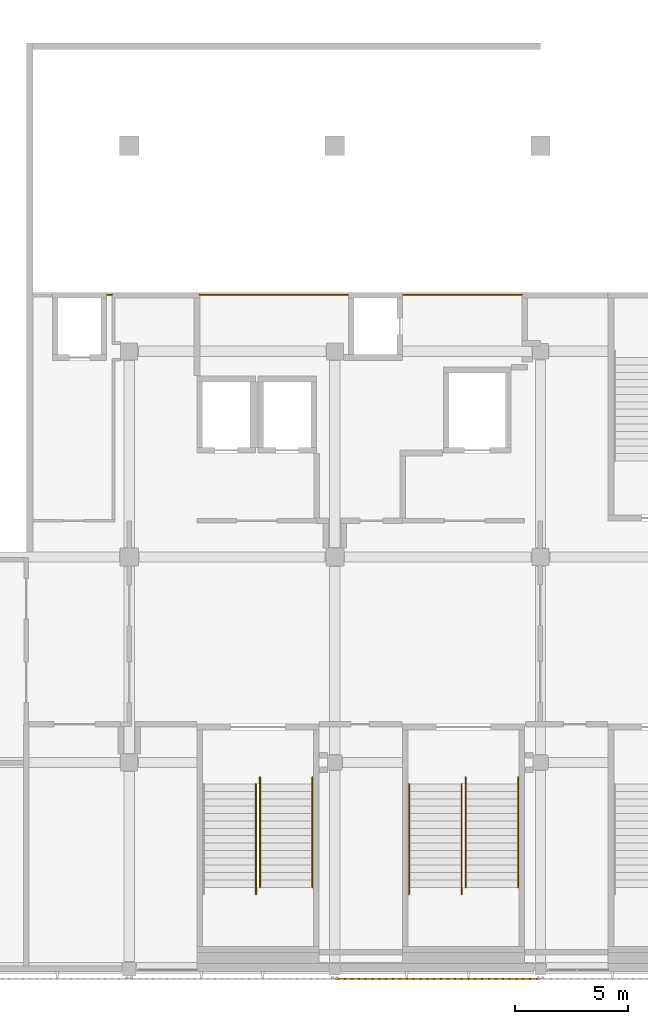
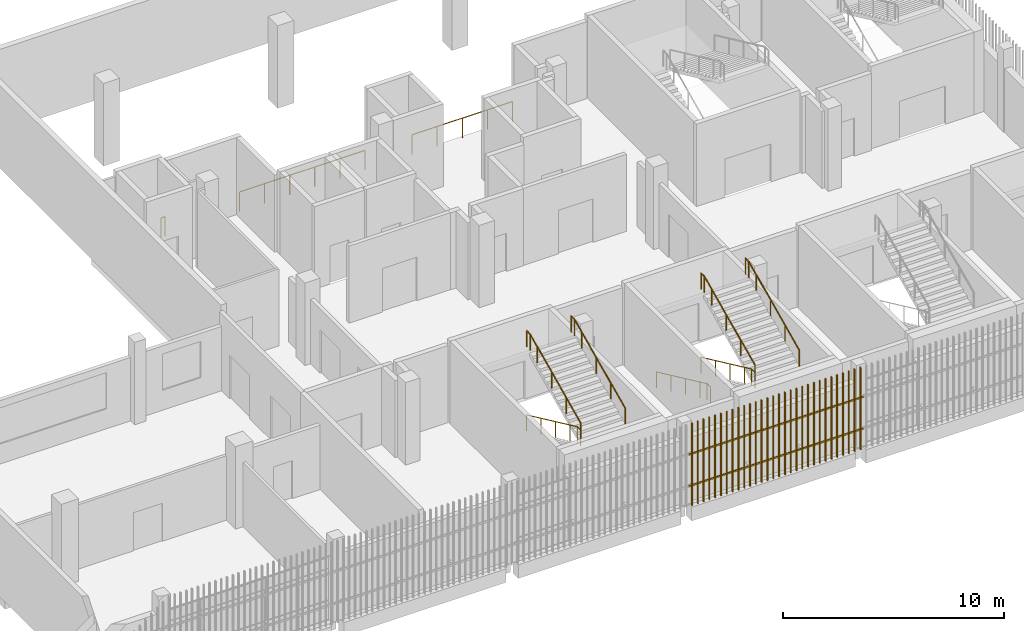
# One storey, part 92 of 104: 10 railings, 1 shading device.
"""IFC4 building model written with IfcOpenShell, lengths in metres."""

from ifc_helpers import new_model, si_unit, direction, frame, origin, origin_2d, place, context, subcontext, project, spatial, rectangle, circle, extrude, material, type_object, element, save


model = new_model("IFC4")

# Units and contexts
model_context = context("Model", 3, precision=1e-05, world=origin(), true_north=direction((0.0, 1.0)))
body_context = subcontext(model_context, "Body", "Model", "MODEL_VIEW")
ifc_project = project(units=[si_unit("LENGTHUNIT", "METRE"), si_unit("AREAUNIT", "SQUARE_METRE"), si_unit("VOLUMEUNIT", "CUBIC_METRE"), si_unit("PLANEANGLEUNIT", "RADIAN"), si_unit("MASSUNIT", "GRAM", prefix="KILO")], contexts=[model_context])

# Site, building, storey
site_placement = place(None, origin())
site = spatial("IfcSite", under=ifc_project, at=site_placement, CompositionType="ELEMENT")
building_placement = place(site_placement, origin())
building = spatial("IfcBuilding", under=site, at=building_placement, Name="Shirokan Park Arena", CompositionType="ELEMENT")
storey_placement = place(building_placement, frame((0.0, 0.0, 10.919921875)))
storey = spatial("IfcBuildingStorey", under=building, at=storey_placement, Name="L02", CompositionType="ELEMENT", Elevation=10.919921875)

# Railings
ifc_material_1 = material(Name="Stainless steel", Category="steel")
railing_type_1 = type_object("IfcRailingType", Name="Concourse edge guard 1100", PredefinedType="GUARDRAIL", material=ifc_material_1)
railing_1_placement = place(storey_placement, frame((108.22998046875, 29.800048828125, 0.0)))
element("IfcRailing", 1, at=railing_1_placement, inside=storey, type_object=railing_type_1, Name="Edge guard L02 6", PredefinedType="GUARDRAIL", context=body_context, shape_type="SweptSolid", body=[
    extrude(circle(Radius=0.02490234375, at=origin_2d()), frame((0.0, 0.0, 1.0771484375), z_axis=(1.0, 0.0, 0.0), x_axis=(0.0, 1.0, 0.0)), (0.0, 0.0, 1.0), 0.20751953125),
    extrude(circle(Radius=0.02490234375, at=origin_2d()), origin(), (0.0, 0.0, 1.0), 1.052001953125),
    extrude(circle(Radius=0.02490234375, at=origin_2d()), frame((0.20751953125, 0.0, 0.0)), (0.0, 0.0, 1.0), 1.052001953125),
])
railing_2_placement = place(storey_placement, frame((112.324951171875, 29.800048828125, 0.0)))
element("IfcRailing", 2, at=railing_2_placement, inside=storey, type_object=railing_type_1, Name="Edge guard L02 7", PredefinedType="GUARDRAIL", context=body_context, shape_type="SweptSolid", body=[
    extrude(circle(Radius=0.02490234375, at=origin_2d()), frame((0.0, 0.0, 1.0771484375), z_axis=(1.0, 0.0, 0.0), x_axis=(0.0, 1.0, 0.0)), (0.0, 0.0, 1.0), 6.545166015625),
    extrude(circle(Radius=0.02490234375, at=origin_2d()), origin(), (0.0, 0.0, 1.0), 1.052001953125),
    extrude(circle(Radius=0.02490234375, at=origin_2d()), frame((1.30908203125, 0.0, 0.0)), (0.0, 0.0, 1.0), 1.052001953125),
    extrude(circle(Radius=0.02490234375, at=origin_2d()), frame((2.6181640625, 0.0, 0.0)), (0.0, 0.0, 1.0), 1.052001953125),
    extrude(circle(Radius=0.02490234375, at=origin_2d()), frame((3.927001953125, 0.0, 0.0)), (0.0, 0.0, 1.0), 1.052001953125),
    extrude(circle(Radius=0.02490234375, at=origin_2d()), frame((5.236083984375, 0.0, 0.0)), (0.0, 0.0, 1.0), 1.052001953125),
    extrude(circle(Radius=0.02490234375, at=origin_2d()), frame((6.545166015625, 0.0, 0.0)), (0.0, 0.0, 1.0), 1.052001953125),
])
railing_3_placement = place(storey_placement, frame((121.330078125, 29.800048828125, 0.0)))
element("IfcRailing", 3, at=railing_3_placement, inside=storey, type_object=railing_type_1, Name="Edge guard L02 9", PredefinedType="GUARDRAIL", context=body_context, shape_type="SweptSolid", body=[
    extrude(circle(Radius=0.02490234375, at=origin_2d()), frame((0.0, 0.0, 1.0771484375), z_axis=(1.0, 0.0, 0.0), x_axis=(0.0, 1.0, 0.0)), (0.0, 0.0, 1.0), 5.244873046875),
    extrude(circle(Radius=0.02490234375, at=origin_2d()), origin(), (0.0, 0.0, 1.0), 1.052001953125),
    extrude(circle(Radius=0.02490234375, at=origin_2d()), frame((1.311279296875, 0.0, 0.0)), (0.0, 0.0, 1.0), 1.052001953125),
    extrude(circle(Radius=0.02490234375, at=origin_2d()), frame((2.62255859375, 0.0, 0.0)), (0.0, 0.0, 1.0), 1.052001953125),
    extrude(circle(Radius=0.02490234375, at=origin_2d()), frame((3.93359375, 0.0, 0.0)), (0.0, 0.0, 1.0), 1.052001953125),
    extrude(circle(Radius=0.02490234375, at=origin_2d()), frame((5.244873046875, 0.0, 0.0)), (0.0, 0.0, 1.0), 1.052001953125),
])
railing_type_2 = type_object("IfcRailingType", Name="Stair handrail 900", PredefinedType="HANDRAIL", material=ifc_material_1)
railing_4_placement = place(storey_placement, frame((121.590087890625, 8.14990234375, 0.15185546875)))
element("IfcRailing", 4, at=railing_4_placement, inside=storey, type_object=railing_type_2, Name="Handrail Exit Stair 2.C L02 to L03", PredefinedType="HANDRAIL", context=body_context, shape_type="SweptSolid", body=[
    extrude(circle(Radius=0.02392578125, at=origin_2d()), frame((0.0, 0.0, 0.8759765625), z_axis=(0.0, -0.907064445915, 0.420991794405), x_axis=(1.0, 0.0, 0.0)), (0.0, 0.0, 1.0), 1.4404296875),
    extrude(circle(Radius=0.02392578125, at=origin_2d()), frame((0.0, -1.306640625, 1.482421875), z_axis=(0.0, -0.907029769225, 0.421066500378), x_axis=(1.0, 0.0, 0.0)), (0.0, 0.0, 1.0), 1.44091796875),
    extrude(circle(Radius=0.02392578125, at=origin_2d()), frame((0.0, -2.613525390625, 2.0888671875), z_axis=(0.0, -0.907029769225, 0.421066500378), x_axis=(1.0, 0.0, 0.0)), (0.0, 0.0, 1.0), 1.44091796875),
    extrude(circle(Radius=0.02392578125, at=origin_2d()), frame((0.0, -3.92041015625, 2.69580078125), z_axis=(0.0, -0.906934982928, 0.421270621741), x_axis=(1.0, 0.0, 0.0)), (0.0, 0.0, 1.0), 0.720458984375),
    extrude(circle(Radius=0.02392578125, at=origin_2d()), frame((0.0, -4.57373046875, 2.9990234375), z_axis=(0.0, -1.0, 0.0), x_axis=(1.0, 0.0, 0.0)), (0.0, 0.0, 1.0), 0.300048828125),
    extrude(circle(Radius=0.02099609375, at=origin_2d()), origin(), (0.0, 0.0, 1.0), 0.851806640625),
    extrude(circle(Radius=0.02099609375, at=origin_2d()), frame((0.0, -1.306640625, 0.6064453125)), (0.0, 0.0, 1.0), 0.851806640625),
    extrude(circle(Radius=0.02099609375, at=origin_2d()), frame((0.0, -2.613525390625, 1.213134765625)), (0.0, 0.0, 1.0), 0.851806640625),
    extrude(circle(Radius=0.02099609375, at=origin_2d()), frame((0.0, -3.92041015625, 1.81982421875)), (0.0, 0.0, 1.0), 0.851806640625),
    extrude(circle(Radius=0.02099609375, at=origin_2d()), frame((0.0, -4.57373046875, 2.123291015625)), (0.0, 0.0, 1.0), 0.851806640625),
    extrude(circle(Radius=0.02099609375, at=origin_2d()), frame((0.0, -4.873779296875, 2.123291015625)), (0.0, 0.0, 1.0), 0.851806640625),
])
railing_5_placement = place(storey_placement, frame((123.909912109375, 8.14990234375, 0.15185546875)))
element("IfcRailing", 5, at=railing_5_placement, inside=storey, type_object=railing_type_2, Name="Handrail Exit Stair 2.C L02 to L03", PredefinedType="HANDRAIL", context=body_context, shape_type="SweptSolid", body=[
    extrude(circle(Radius=0.02392578125, at=origin_2d()), frame((0.0, 0.0, 0.8759765625), z_axis=(0.0, -0.907064445915, 0.420991794405), x_axis=(1.0, 0.0, 0.0)), (0.0, 0.0, 1.0), 1.4404296875),
    extrude(circle(Radius=0.02392578125, at=origin_2d()), frame((0.0, -1.306640625, 1.482421875), z_axis=(0.0, -0.907029769225, 0.421066500378), x_axis=(1.0, 0.0, 0.0)), (0.0, 0.0, 1.0), 1.44091796875),
    extrude(circle(Radius=0.02392578125, at=origin_2d()), frame((0.0, -2.613525390625, 2.0888671875), z_axis=(0.0, -0.907029769225, 0.421066500378), x_axis=(1.0, 0.0, 0.0)), (0.0, 0.0, 1.0), 1.44091796875),
    extrude(circle(Radius=0.02392578125, at=origin_2d()), frame((0.0, -3.92041015625, 2.69580078125), z_axis=(0.0, -0.906934982928, 0.421270621741), x_axis=(1.0, 0.0, 0.0)), (0.0, 0.0, 1.0), 0.720458984375),
    extrude(circle(Radius=0.02392578125, at=origin_2d()), frame((0.0, -4.57373046875, 2.9990234375), z_axis=(0.0, -1.0, 0.0), x_axis=(1.0, 0.0, 0.0)), (0.0, 0.0, 1.0), 0.300048828125),
    extrude(circle(Radius=0.02099609375, at=origin_2d()), origin(), (0.0, 0.0, 1.0), 0.851806640625),
    extrude(circle(Radius=0.02099609375, at=origin_2d()), frame((0.0, -1.306640625, 0.6064453125)), (0.0, 0.0, 1.0), 0.851806640625),
    extrude(circle(Radius=0.02099609375, at=origin_2d()), frame((0.0, -2.613525390625, 1.213134765625)), (0.0, 0.0, 1.0), 0.851806640625),
    extrude(circle(Radius=0.02099609375, at=origin_2d()), frame((0.0, -3.92041015625, 1.81982421875)), (0.0, 0.0, 1.0), 0.851806640625),
    extrude(circle(Radius=0.02099609375, at=origin_2d()), frame((0.0, -4.57373046875, 2.123291015625)), (0.0, 0.0, 1.0), 0.851806640625),
    extrude(circle(Radius=0.02099609375, at=origin_2d()), frame((0.0, -4.873779296875, 2.123291015625)), (0.0, 0.0, 1.0), 0.851806640625),
])
railing_6_placement = place(storey_placement, frame((124.090087890625, 3.576171875, 2.4267578125)))
element("IfcRailing", 6, at=railing_6_placement, inside=storey, type_object=railing_type_2, Name="Handrail Exit Stair 2.C L02 to L03", PredefinedType="HANDRAIL", context=body_context, shape_type="SweptSolid", body=[
    extrude(circle(Radius=0.02392578125, at=origin_2d()), frame((0.0, 0.0, 0.8759765625), z_axis=(0.0, 0.907029769225, 0.421066500378), x_axis=(-1.0, 0.0, 0.0)), (0.0, 0.0, 1.0), 1.44091796875),
    extrude(circle(Radius=0.02392578125, at=origin_2d()), frame((0.0, 1.306884765625, 1.482421875), z_axis=(0.0, 0.906999720516, 0.421131222998), x_axis=(-1.0, 0.0, 0.0)), (0.0, 0.0, 1.0), 1.440673828125),
    extrude(circle(Radius=0.02392578125, at=origin_2d()), frame((0.0, 2.613525390625, 2.08935546875), z_axis=(0.0, 0.907029769225, 0.421066500378), x_axis=(-1.0, 0.0, 0.0)), (0.0, 0.0, 1.0), 1.44091796875),
    extrude(circle(Radius=0.02392578125, at=origin_2d()), frame((0.0, 3.92041015625, 2.69580078125), z_axis=(0.0, 0.907064445915, 0.420991794405), x_axis=(-1.0, 0.0, 0.0)), (0.0, 0.0, 1.0), 0.72021484375),
    extrude(circle(Radius=0.02392578125, at=origin_2d()), frame((0.0, 4.57373046875, 2.9990234375), z_axis=(0.0, 1.0, 0.0), x_axis=(-1.0, 0.0, 0.0)), (0.0, 0.0, 1.0), 0.300048828125),
    extrude(circle(Radius=0.02099609375, at=origin_2d()), origin(), (0.0, 0.0, 1.0), 0.851806640625),
    extrude(circle(Radius=0.02099609375, at=origin_2d()), frame((0.0, 1.306884765625, 0.606689453125)), (0.0, 0.0, 1.0), 0.851806640625),
    extrude(circle(Radius=0.02099609375, at=origin_2d()), frame((0.0, 2.613525390625, 1.21337890625)), (0.0, 0.0, 1.0), 0.851806640625),
    extrude(circle(Radius=0.02099609375, at=origin_2d()), frame((0.0, 3.92041015625, 1.820068359375)), (0.0, 0.0, 1.0), 0.851806640625),
    extrude(circle(Radius=0.02099609375, at=origin_2d()), frame((0.0, 4.57373046875, 2.123291015625)), (0.0, 0.0, 1.0), 0.851806640625),
    extrude(circle(Radius=0.02099609375, at=origin_2d()), frame((0.0, 4.873779296875, 2.123291015625)), (0.0, 0.0, 1.0), 0.851806640625),
])
railing_7_placement = place(storey_placement, frame((126.409912109375, 3.576171875, 2.4267578125)))
element("IfcRailing", 7, at=railing_7_placement, inside=storey, type_object=railing_type_2, Name="Handrail Exit Stair 2.C L02 to L03", PredefinedType="HANDRAIL", context=body_context, shape_type="SweptSolid", body=[
    extrude(circle(Radius=0.02392578125, at=origin_2d()), frame((0.0, 0.0, 0.8759765625), z_axis=(0.0, 0.907029769225, 0.421066500378), x_axis=(-1.0, 0.0, 0.0)), (0.0, 0.0, 1.0), 1.44091796875),
    extrude(circle(Radius=0.02392578125, at=origin_2d()), frame((0.0, 1.306884765625, 1.482421875), z_axis=(0.0, 0.906999720516, 0.421131222998), x_axis=(-1.0, 0.0, 0.0)), (0.0, 0.0, 1.0), 1.440673828125),
    extrude(circle(Radius=0.02392578125, at=origin_2d()), frame((0.0, 2.613525390625, 2.08935546875), z_axis=(0.0, 0.907029769225, 0.421066500378), x_axis=(-1.0, 0.0, 0.0)), (0.0, 0.0, 1.0), 1.44091796875),
    extrude(circle(Radius=0.02392578125, at=origin_2d()), frame((0.0, 3.92041015625, 2.69580078125), z_axis=(0.0, 0.907064445915, 0.420991794405), x_axis=(-1.0, 0.0, 0.0)), (0.0, 0.0, 1.0), 0.72021484375),
    extrude(circle(Radius=0.02392578125, at=origin_2d()), frame((0.0, 4.57373046875, 2.9990234375), z_axis=(0.0, 1.0, 0.0), x_axis=(-1.0, 0.0, 0.0)), (0.0, 0.0, 1.0), 0.300048828125),
    extrude(circle(Radius=0.02099609375, at=origin_2d()), origin(), (0.0, 0.0, 1.0), 0.851806640625),
    extrude(circle(Radius=0.02099609375, at=origin_2d()), frame((0.0, 1.306884765625, 0.606689453125)), (0.0, 0.0, 1.0), 0.851806640625),
    extrude(circle(Radius=0.02099609375, at=origin_2d()), frame((0.0, 2.613525390625, 1.21337890625)), (0.0, 0.0, 1.0), 0.851806640625),
    extrude(circle(Radius=0.02099609375, at=origin_2d()), frame((0.0, 3.92041015625, 1.820068359375)), (0.0, 0.0, 1.0), 0.851806640625),
    extrude(circle(Radius=0.02099609375, at=origin_2d()), frame((0.0, 4.57373046875, 2.123291015625)), (0.0, 0.0, 1.0), 0.851806640625),
    extrude(circle(Radius=0.02099609375, at=origin_2d()), frame((0.0, 4.873779296875, 2.123291015625)), (0.0, 0.0, 1.0), 0.851806640625),
])
railing_8_placement = place(storey_placement, frame((114.81005859375, 8.14990234375, 0.15185546875)))
element("IfcRailing", 8, at=railing_8_placement, inside=storey, type_object=railing_type_2, Name="Handrail Exit Stair 2.D L02 to L03", PredefinedType="HANDRAIL", context=body_context, shape_type="SweptSolid", body=[
    extrude(circle(Radius=0.02392578125, at=origin_2d()), frame((0.0, 0.0, 0.8759765625), z_axis=(0.0, -0.907064445915, 0.420991794405), x_axis=(1.0, 0.0, 0.0)), (0.0, 0.0, 1.0), 1.4404296875),
    extrude(circle(Radius=0.02392578125, at=origin_2d()), frame((0.0, -1.306640625, 1.482421875), z_axis=(0.0, -0.907029769225, 0.421066500378), x_axis=(1.0, 0.0, 0.0)), (0.0, 0.0, 1.0), 1.44091796875),
    extrude(circle(Radius=0.02392578125, at=origin_2d()), frame((0.0, -2.613525390625, 2.0888671875), z_axis=(0.0, -0.907029769225, 0.421066500378), x_axis=(1.0, 0.0, 0.0)), (0.0, 0.0, 1.0), 1.44091796875),
    extrude(circle(Radius=0.02392578125, at=origin_2d()), frame((0.0, -3.92041015625, 2.69580078125), z_axis=(0.0, -0.906934982928, 0.421270621741), x_axis=(1.0, 0.0, 0.0)), (0.0, 0.0, 1.0), 0.720458984375),
    extrude(circle(Radius=0.02392578125, at=origin_2d()), frame((0.0, -4.57373046875, 2.9990234375), z_axis=(0.0, -1.0, 0.0), x_axis=(1.0, 0.0, 0.0)), (0.0, 0.0, 1.0), 0.300048828125),
    extrude(circle(Radius=0.02099609375, at=origin_2d()), origin(), (0.0, 0.0, 1.0), 0.851806640625),
    extrude(circle(Radius=0.02099609375, at=origin_2d()), frame((0.0, -1.306640625, 0.6064453125)), (0.0, 0.0, 1.0), 0.851806640625),
    extrude(circle(Radius=0.02099609375, at=origin_2d()), frame((0.0, -2.613525390625, 1.213134765625)), (0.0, 0.0, 1.0), 0.851806640625),
    extrude(circle(Radius=0.02099609375, at=origin_2d()), frame((0.0, -3.92041015625, 1.81982421875)), (0.0, 0.0, 1.0), 0.851806640625),
    extrude(circle(Radius=0.02099609375, at=origin_2d()), frame((0.0, -4.57373046875, 2.123291015625)), (0.0, 0.0, 1.0), 0.851806640625),
    extrude(circle(Radius=0.02099609375, at=origin_2d()), frame((0.0, -4.873779296875, 2.123291015625)), (0.0, 0.0, 1.0), 0.851806640625),
])
railing_9_placement = place(storey_placement, frame((114.989990234375, 3.576171875, 2.4267578125)))
element("IfcRailing", 9, at=railing_9_placement, inside=storey, type_object=railing_type_2, Name="Handrail Exit Stair 2.D L02 to L03", PredefinedType="HANDRAIL", context=body_context, shape_type="SweptSolid", body=[
    extrude(circle(Radius=0.02392578125, at=origin_2d()), frame((0.0, 0.0, 0.8759765625), z_axis=(0.0, 0.907029769225, 0.421066500378), x_axis=(-1.0, 0.0, 0.0)), (0.0, 0.0, 1.0), 1.44091796875),
    extrude(circle(Radius=0.02392578125, at=origin_2d()), frame((0.0, 1.306884765625, 1.482421875), z_axis=(0.0, 0.906999720516, 0.421131222998), x_axis=(-1.0, 0.0, 0.0)), (0.0, 0.0, 1.0), 1.440673828125),
    extrude(circle(Radius=0.02392578125, at=origin_2d()), frame((0.0, 2.613525390625, 2.08935546875), z_axis=(0.0, 0.907029769225, 0.421066500378), x_axis=(-1.0, 0.0, 0.0)), (0.0, 0.0, 1.0), 1.44091796875),
    extrude(circle(Radius=0.02392578125, at=origin_2d()), frame((0.0, 3.92041015625, 2.69580078125), z_axis=(0.0, 0.907064445915, 0.420991794405), x_axis=(-1.0, 0.0, 0.0)), (0.0, 0.0, 1.0), 0.72021484375),
    extrude(circle(Radius=0.02392578125, at=origin_2d()), frame((0.0, 4.57373046875, 2.9990234375), z_axis=(0.0, 1.0, 0.0), x_axis=(-1.0, 0.0, 0.0)), (0.0, 0.0, 1.0), 0.300048828125),
    extrude(circle(Radius=0.02099609375, at=origin_2d()), origin(), (0.0, 0.0, 1.0), 0.851806640625),
    extrude(circle(Radius=0.02099609375, at=origin_2d()), frame((0.0, 1.306884765625, 0.606689453125)), (0.0, 0.0, 1.0), 0.851806640625),
    extrude(circle(Radius=0.02099609375, at=origin_2d()), frame((0.0, 2.613525390625, 1.21337890625)), (0.0, 0.0, 1.0), 0.851806640625),
    extrude(circle(Radius=0.02099609375, at=origin_2d()), frame((0.0, 3.92041015625, 1.820068359375)), (0.0, 0.0, 1.0), 0.851806640625),
    extrude(circle(Radius=0.02099609375, at=origin_2d()), frame((0.0, 4.57373046875, 2.123291015625)), (0.0, 0.0, 1.0), 0.851806640625),
    extrude(circle(Radius=0.02099609375, at=origin_2d()), frame((0.0, 4.873779296875, 2.123291015625)), (0.0, 0.0, 1.0), 0.851806640625),
])
railing_10_placement = place(storey_placement, frame((117.31005859375, 3.576171875, 2.4267578125)))
element("IfcRailing", 10, at=railing_10_placement, inside=storey, type_object=railing_type_2, Name="Handrail Exit Stair 2.D L02 to L03", PredefinedType="HANDRAIL", context=body_context, shape_type="SweptSolid", body=[
    extrude(circle(Radius=0.02392578125, at=origin_2d()), frame((0.0, 0.0, 0.8759765625), z_axis=(0.0, 0.907029769225, 0.421066500378), x_axis=(-1.0, 0.0, 0.0)), (0.0, 0.0, 1.0), 1.44091796875),
    extrude(circle(Radius=0.02392578125, at=origin_2d()), frame((0.0, 1.306884765625, 1.482421875), z_axis=(0.0, 0.906999720516, 0.421131222998), x_axis=(-1.0, 0.0, 0.0)), (0.0, 0.0, 1.0), 1.440673828125),
    extrude(circle(Radius=0.02392578125, at=origin_2d()), frame((0.0, 2.613525390625, 2.08935546875), z_axis=(0.0, 0.907029769225, 0.421066500378), x_axis=(-1.0, 0.0, 0.0)), (0.0, 0.0, 1.0), 1.44091796875),
    extrude(circle(Radius=0.02392578125, at=origin_2d()), frame((0.0, 3.92041015625, 2.69580078125), z_axis=(0.0, 0.907064445915, 0.420991794405), x_axis=(-1.0, 0.0, 0.0)), (0.0, 0.0, 1.0), 0.72021484375),
    extrude(circle(Radius=0.02392578125, at=origin_2d()), frame((0.0, 4.57373046875, 2.9990234375), z_axis=(0.0, 1.0, 0.0), x_axis=(-1.0, 0.0, 0.0)), (0.0, 0.0, 1.0), 0.300048828125),
    extrude(circle(Radius=0.02099609375, at=origin_2d()), origin(), (0.0, 0.0, 1.0), 0.851806640625),
    extrude(circle(Radius=0.02099609375, at=origin_2d()), frame((0.0, 1.306884765625, 0.606689453125)), (0.0, 0.0, 1.0), 0.851806640625),
    extrude(circle(Radius=0.02099609375, at=origin_2d()), frame((0.0, 2.613525390625, 1.21337890625)), (0.0, 0.0, 1.0), 0.851806640625),
    extrude(circle(Radius=0.02099609375, at=origin_2d()), frame((0.0, 3.92041015625, 1.820068359375)), (0.0, 0.0, 1.0), 0.851806640625),
    extrude(circle(Radius=0.02099609375, at=origin_2d()), frame((0.0, 4.57373046875, 2.123291015625)), (0.0, 0.0, 1.0), 0.851806640625),
    extrude(circle(Radius=0.02099609375, at=origin_2d()), frame((0.0, 4.873779296875, 2.123291015625)), (0.0, 0.0, 1.0), 0.851806640625),
])

# Shading device
ifc_material_2 = material(Name="Timber louvre veil (cedar)", Category="wood")
shading_device_type = type_object("IfcShadingDeviceType", Name="Timber louvre veil panel", PredefinedType="JALOUSIE", material=ifc_material_2)
shading_device_placement = place(storey_placement, origin())
element("IfcShadingDevice", 11, at=shading_device_placement, inside=storey, type_object=shading_device_type, Name="Timber louvre veil south bay 14 L02", PredefinedType="JALOUSIE", context=body_context, shape_type="SweptSolid", body=[
    extrude(rectangle(XDim=0.050048828125, YDim=0.080078125, at=origin_2d()), frame((118.45166015625, -0.485107421875, 0.0), z_axis=(0.0, 0.0, 1.0), x_axis=(1.0, 0.0, 0.0)), (0.0, 0.0, 1.0), 4.550048828125),
    extrude(rectangle(XDim=0.050048828125, YDim=0.080078125, at=origin_2d()), frame((118.7548828125, -0.485107421875, 0.0), z_axis=(0.0, 0.0, 1.0), x_axis=(1.0, 0.0, 0.0)), (0.0, 0.0, 1.0), 4.550048828125),
    extrude(rectangle(XDim=0.050048828125, YDim=0.080078125, at=origin_2d()), frame((119.058349609375, -0.485107421875, 0.0), z_axis=(0.0, 0.0, 1.0), x_axis=(1.0, 0.0, 0.0)), (0.0, 0.0, 1.0), 4.550048828125),
    extrude(rectangle(XDim=0.050048828125, YDim=0.080078125, at=origin_2d()), frame((119.361572265625, -0.485107421875, 0.0), z_axis=(0.0, 0.0, 1.0), x_axis=(1.0, 0.0, 0.0)), (0.0, 0.0, 1.0), 4.550048828125),
    extrude(rectangle(XDim=0.050048828125, YDim=0.080078125, at=origin_2d()), frame((119.6650390625, -0.485107421875, 0.0), z_axis=(0.0, 0.0, 1.0), x_axis=(1.0, 0.0, 0.0)), (0.0, 0.0, 1.0), 4.550048828125),
    extrude(rectangle(XDim=0.050048828125, YDim=0.080078125, at=origin_2d()), frame((119.96826171875, -0.485107421875, 0.0), z_axis=(0.0, 0.0, 1.0), x_axis=(1.0, 0.0, 0.0)), (0.0, 0.0, 1.0), 4.550048828125),
    extrude(rectangle(XDim=0.050048828125, YDim=0.080078125, at=origin_2d()), frame((120.271728515625, -0.485107421875, 0.0), z_axis=(0.0, 0.0, 1.0), x_axis=(1.0, 0.0, 0.0)), (0.0, 0.0, 1.0), 4.550048828125),
    extrude(rectangle(XDim=0.050048828125, YDim=0.080078125, at=origin_2d()), frame((120.574951171875, -0.485107421875, 0.0), z_axis=(0.0, 0.0, 1.0), x_axis=(1.0, 0.0, 0.0)), (0.0, 0.0, 1.0), 4.550048828125),
    extrude(rectangle(XDim=0.050048828125, YDim=0.080078125, at=origin_2d()), frame((120.87841796875, -0.485107421875, 0.0), z_axis=(0.0, 0.0, 1.0), x_axis=(1.0, 0.0, 0.0)), (0.0, 0.0, 1.0), 4.550048828125),
    extrude(rectangle(XDim=0.050048828125, YDim=0.080078125, at=origin_2d()), frame((121.181640625, -0.485107421875, 0.0), z_axis=(0.0, 0.0, 1.0), x_axis=(1.0, 0.0, 0.0)), (0.0, 0.0, 1.0), 4.550048828125),
    extrude(rectangle(XDim=0.050048828125, YDim=0.080078125, at=origin_2d()), frame((121.485107421875, -0.485107421875, 0.0), z_axis=(0.0, 0.0, 1.0), x_axis=(1.0, 0.0, 0.0)), (0.0, 0.0, 1.0), 4.550048828125),
    extrude(rectangle(XDim=0.050048828125, YDim=0.080078125, at=origin_2d()), frame((121.788330078125, -0.485107421875, 0.0), z_axis=(0.0, 0.0, 1.0), x_axis=(1.0, 0.0, 0.0)), (0.0, 0.0, 1.0), 4.550048828125),
    extrude(rectangle(XDim=0.050048828125, YDim=0.080078125, at=origin_2d()), frame((122.091552734375, -0.485107421875, 0.0), z_axis=(0.0, 0.0, 1.0), x_axis=(1.0, 0.0, 0.0)), (0.0, 0.0, 1.0), 4.550048828125),
    extrude(rectangle(XDim=0.050048828125, YDim=0.080078125, at=origin_2d()), frame((122.39501953125, -0.485107421875, 0.0), z_axis=(0.0, 0.0, 1.0), x_axis=(1.0, 0.0, 0.0)), (0.0, 0.0, 1.0), 4.550048828125),
    extrude(rectangle(XDim=0.050048828125, YDim=0.080078125, at=origin_2d()), frame((122.6982421875, -0.485107421875, 0.0), z_axis=(0.0, 0.0, 1.0), x_axis=(1.0, 0.0, 0.0)), (0.0, 0.0, 1.0), 4.550048828125),
    extrude(rectangle(XDim=0.050048828125, YDim=0.080078125, at=origin_2d()), frame((123.001708984375, -0.485107421875, 0.0), z_axis=(0.0, 0.0, 1.0), x_axis=(1.0, 0.0, 0.0)), (0.0, 0.0, 1.0), 4.550048828125),
    extrude(rectangle(XDim=0.050048828125, YDim=0.080078125, at=origin_2d()), frame((123.304931640625, -0.485107421875, 0.0), z_axis=(0.0, 0.0, 1.0), x_axis=(1.0, 0.0, 0.0)), (0.0, 0.0, 1.0), 4.550048828125),
    extrude(rectangle(XDim=0.050048828125, YDim=0.080078125, at=origin_2d()), frame((123.6083984375, -0.485107421875, 0.0), z_axis=(0.0, 0.0, 1.0), x_axis=(1.0, 0.0, 0.0)), (0.0, 0.0, 1.0), 4.550048828125),
    extrude(rectangle(XDim=0.050048828125, YDim=0.080078125, at=origin_2d()), frame((123.91162109375, -0.485107421875, 0.0), z_axis=(0.0, 0.0, 1.0), x_axis=(1.0, 0.0, 0.0)), (0.0, 0.0, 1.0), 4.550048828125),
    extrude(rectangle(XDim=0.050048828125, YDim=0.080078125, at=origin_2d()), frame((124.215087890625, -0.485107421875, 0.0), z_axis=(0.0, 0.0, 1.0), x_axis=(1.0, 0.0, 0.0)), (0.0, 0.0, 1.0), 4.550048828125),
    extrude(rectangle(XDim=0.050048828125, YDim=0.080078125, at=origin_2d()), frame((124.518310546875, -0.485107421875, 0.0), z_axis=(0.0, 0.0, 1.0), x_axis=(1.0, 0.0, 0.0)), (0.0, 0.0, 1.0), 4.550048828125),
    extrude(rectangle(XDim=0.050048828125, YDim=0.080078125, at=origin_2d()), frame((124.82177734375, -0.485107421875, 0.0), z_axis=(0.0, 0.0, 1.0), x_axis=(1.0, 0.0, 0.0)), (0.0, 0.0, 1.0), 4.550048828125),
    extrude(rectangle(XDim=0.050048828125, YDim=0.080078125, at=origin_2d()), frame((125.125, -0.485107421875, 0.0), z_axis=(0.0, 0.0, 1.0), x_axis=(1.0, 0.0, 0.0)), (0.0, 0.0, 1.0), 4.550048828125),
    extrude(rectangle(XDim=0.050048828125, YDim=0.080078125, at=origin_2d()), frame((125.42822265625, -0.485107421875, 0.0), z_axis=(0.0, 0.0, 1.0), x_axis=(1.0, 0.0, 0.0)), (0.0, 0.0, 1.0), 4.550048828125),
    extrude(rectangle(XDim=0.050048828125, YDim=0.080078125, at=origin_2d()), frame((125.731689453125, -0.485107421875, 0.0), z_axis=(0.0, 0.0, 1.0), x_axis=(1.0, 0.0, 0.0)), (0.0, 0.0, 1.0), 4.550048828125),
    extrude(rectangle(XDim=0.050048828125, YDim=0.080078125, at=origin_2d()), frame((126.034912109375, -0.485107421875, 0.0), z_axis=(0.0, 0.0, 1.0), x_axis=(1.0, 0.0, 0.0)), (0.0, 0.0, 1.0), 4.550048828125),
    extrude(rectangle(XDim=0.050048828125, YDim=0.080078125, at=origin_2d()), frame((126.33837890625, -0.485107421875, 0.0), z_axis=(0.0, 0.0, 1.0), x_axis=(1.0, 0.0, 0.0)), (0.0, 0.0, 1.0), 4.550048828125),
    extrude(rectangle(XDim=0.050048828125, YDim=0.080078125, at=origin_2d()), frame((126.6416015625, -0.485107421875, 0.0), z_axis=(0.0, 0.0, 1.0), x_axis=(1.0, 0.0, 0.0)), (0.0, 0.0, 1.0), 4.550048828125),
    extrude(rectangle(XDim=0.050048828125, YDim=0.080078125, at=origin_2d()), frame((126.945068359375, -0.485107421875, 0.0), z_axis=(0.0, 0.0, 1.0), x_axis=(1.0, 0.0, 0.0)), (0.0, 0.0, 1.0), 4.550048828125),
    extrude(rectangle(XDim=0.050048828125, YDim=0.080078125, at=origin_2d()), frame((127.248291015625, -0.485107421875, 0.0), z_axis=(0.0, 0.0, 1.0), x_axis=(1.0, 0.0, 0.0)), (0.0, 0.0, 1.0), 4.550048828125),
    extrude(rectangle(XDim=9.10009765625, YDim=0.050048828125, at=origin_2d()), frame((122.85009765625, -0.469970703125, 1.06005859375), z_axis=(0.0, 0.0, 1.0), x_axis=(1.0, 0.0, 0.0)), (0.0, 0.0, 1.0), 0.080078125),
    extrude(rectangle(XDim=9.10009765625, YDim=0.050048828125, at=origin_2d()), frame((122.85009765625, -0.469970703125, 2.81005859375), z_axis=(0.0, 0.0, 1.0), x_axis=(1.0, 0.0, 0.0)), (0.0, 0.0, 1.0), 0.080078125),
])

save(model, "model.ifc")
